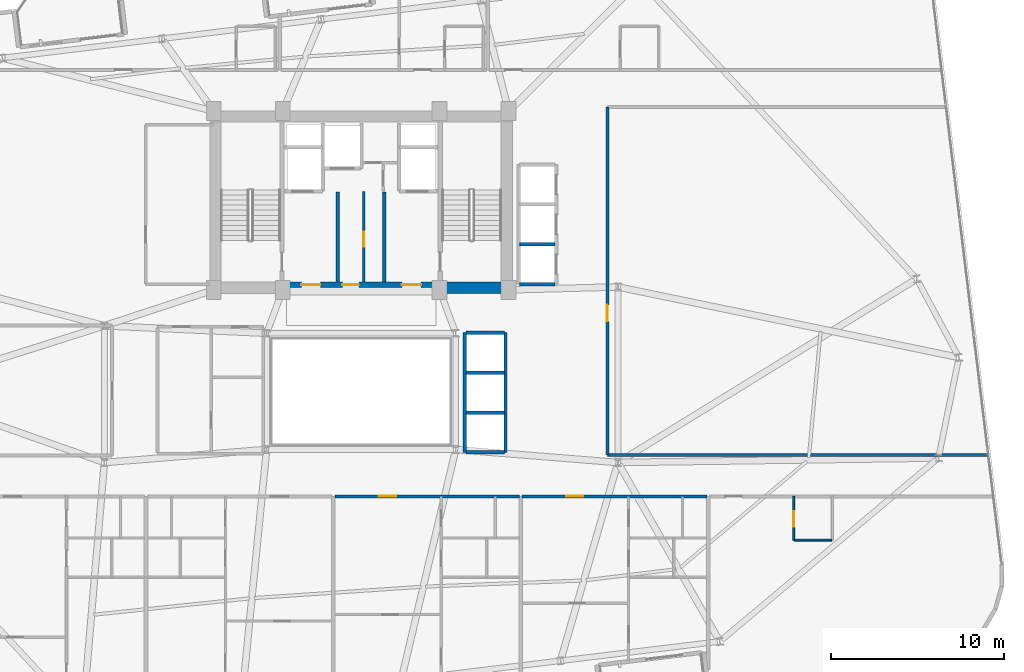
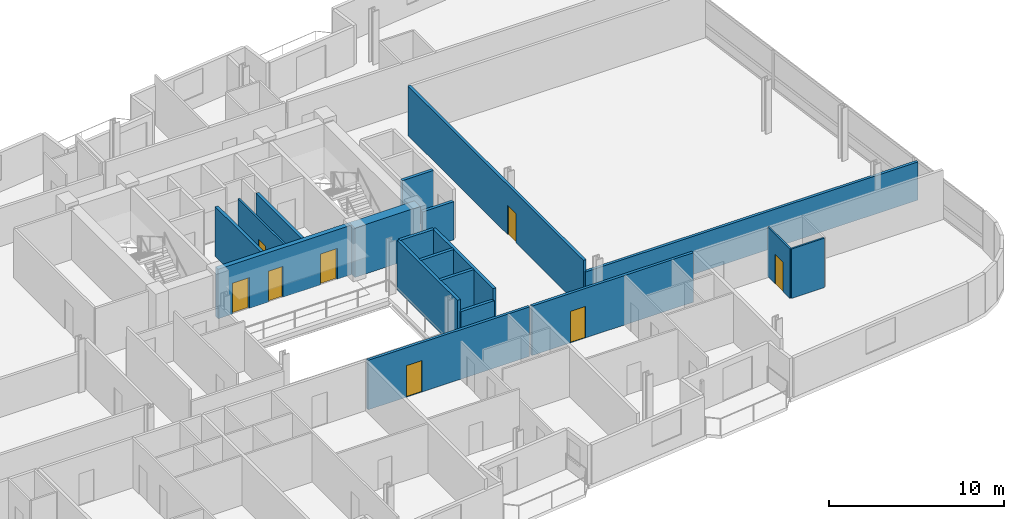
# One storey, part 16 of 23: 19 walls, 8 doors, 8 openings.
"""IFC4 building model written with IfcOpenShell, lengths in metres."""

from ifc_helpers import new_model, si_unit, direction, frame, frame_2d, origin, place, context, subcontext, project, spatial, rectangle, extrude, material, layer, layer_set, type_object, element, fill, save


model = new_model("IFC4")

# Units and contexts
model_context = context("Model", 3, precision=1e-05, world=origin(), true_north=direction((0.0, 1.0)))
body_context = subcontext(model_context, "Body", "Model", "MODEL_VIEW")
ifc_project = project(units=[si_unit("LENGTHUNIT", "METRE"), si_unit("AREAUNIT", "SQUARE_METRE"), si_unit("VOLUMEUNIT", "CUBIC_METRE"), si_unit("PLANEANGLEUNIT", "RADIAN"), si_unit("MASSUNIT", "GRAM", prefix="KILO")], contexts=[model_context])

# Site, building, storey
site_placement = place(None, origin())
site = spatial("IfcSite", under=ifc_project, at=site_placement, CompositionType="ELEMENT")
building_placement = place(site_placement, origin())
building = spatial("IfcBuilding", under=site, at=building_placement, Name="Varnelok Gate Tower", CompositionType="ELEMENT")
storey_placement = place(building_placement, frame((0.0, 0.0, 170.89990234375)))
storey = spatial("IfcBuildingStorey", under=building, at=storey_placement, Name="L43", CompositionType="ELEMENT", Elevation=170.89990234375)

# Wall, opening, door
ifc_material_1 = material(Name="Gypsum Plasterboard Acoustic Partition", Category="gypsum")
ifc_layer_1 = layer(ifc_material_1, 0.179931640625)
ifc_layer_set_1 = layer_set([ifc_layer_1], Name="Gypsum Plasterboard Acoustic Partition")
wall_type_1 = type_object("IfcWallType", Name="PW-CORR-180", PredefinedType="PARTITIONING", material=ifc_layer_set_1)
wall_1_placement = place(storey_placement, frame((37.679931640625, 16.85009765625, 0.0), z_axis=(0.0, 0.0, 1.0), x_axis=(1.0, 0.0, 0.0)))
wall_1 = element("IfcWall", 1, at=wall_1_placement, inside=storey, type_object=wall_type_1, Name="Interior Partition", PredefinedType="PARTITIONING", context=body_context, shape_type="SweptSolid", body=[
    extrude(rectangle(XDim=10.64013671875, YDim=0.179931640625, at=frame_2d((5.320068359375, 0.0))), origin(), (0.0, 0.0, 1.0), 3.4501953125),
])
opening_1_placement = place(wall_1_placement, frame((2.53466796875, 0.0, 0.0)))
opening_1 = element("IfcOpeningElement", 2, at=opening_1_placement, cuts=wall_1, Name="Opening D-AP", PredefinedType="OPENING", context=body_context, shape_type="SweptSolid", body=[
    extrude(rectangle(XDim=1.0, YDim=2.199951171875, at=frame_2d((0.5, 1.10009765625))), frame((0.0, 0.099853515625, 0.0), z_axis=(0.0, -1.0, 0.0), x_axis=(1.0, 0.0, 0.0)), (0.0, 0.0, 1.0), 0.199951171875),
])
ifc_material_2 = material(Name="Engineered Hardwood Timber", Category="wood")
door_type_1 = type_object("IfcDoorType", Name="DR-APT-1000", OperationType="NOTDEFINED", PredefinedType="DOOR", material=ifc_material_2)
door_1_placement = place(opening_1_placement, origin())
door_1 = element("IfcDoor", 3, at=door_1_placement, inside=storey, type_object=door_type_1, Name="L43 Apartment 4 Entrance Door", OperationType="SINGLE_SWING_LEFT", OverallHeight=2.199951171875, OverallWidth=1.0, PredefinedType="DOOR", context=body_context, shape_type="SweptSolid", body=[
    extrude(rectangle(XDim=1.0, YDim=2.199951171875, at=frame_2d((0.5, 1.10009765625))), frame((0.0, 0.02490234375, 0.0), z_axis=(0.0, -1.0, 0.0), x_axis=(1.0, 0.0, 0.0)), (0.0, 0.0, 1.0), 0.050048828125),
])
fill(opening_1, door_1)

wall_2_placement = place(storey_placement, frame((48.47998046875, 16.85009765625, 0.0), z_axis=(0.0, 0.0, 1.0), x_axis=(1.0, 0.0, 0.0)))
wall_2 = element("IfcWall", 4, at=wall_2_placement, inside=storey, type_object=wall_type_1, Name="Interior Partition", PredefinedType="PARTITIONING", context=body_context, shape_type="SweptSolid", body=[
    extrude(rectangle(XDim=10.64013671875, YDim=0.179931640625, at=frame_2d((5.320068359375, 0.0))), origin(), (0.0, 0.0, 1.0), 3.4501953125),
])
opening_2_placement = place(wall_2_placement, frame((2.53466796875, 0.0, 0.0)))
opening_2 = element("IfcOpeningElement", 5, at=opening_2_placement, cuts=wall_2, Name="Opening D-AP", PredefinedType="OPENING", context=body_context, shape_type="SweptSolid", body=[
    extrude(rectangle(XDim=1.0, YDim=2.199951171875, at=frame_2d((0.5, 1.10009765625))), frame((0.0, 0.099853515625, 0.0), z_axis=(0.0, -1.0, 0.0), x_axis=(1.0, 0.0, 0.0)), (0.0, 0.0, 1.0), 0.199951171875),
])
door_2_placement = place(opening_2_placement, origin())
door_2 = element("IfcDoor", 6, at=door_2_placement, inside=storey, type_object=door_type_1, Name="L43 Apartment 5 Entrance Door", OperationType="SINGLE_SWING_RIGHT", OverallHeight=2.199951171875, OverallWidth=1.0, PredefinedType="DOOR", context=body_context, shape_type="SweptSolid", body=[
    extrude(rectangle(XDim=1.0, YDim=2.199951171875, at=frame_2d((0.5, 1.10009765625))), frame((0.0, 0.02490234375, 0.0), z_axis=(0.0, -1.0, 0.0), x_axis=(1.0, 0.0, 0.0)), (0.0, 0.0, 1.0), 0.050048828125),
])
fill(opening_2, door_2)

wall_3_placement = place(storey_placement, frame((53.389892578125, 19.239990234375, 0.0), z_axis=(0.0, 0.0, 1.0), x_axis=(0.0, 1.0, 0.0)))
wall_3 = element("IfcWall", 7, at=wall_3_placement, inside=storey, type_object=wall_type_1, Name="Interior Partition", PredefinedType="PARTITIONING", context=body_context, shape_type="SweptSolid", body=[
    extrude(rectangle(XDim=20.06005859375, YDim=0.179931640625, at=frame_2d((10.030029296875, 0.0))), origin(), (0.0, 0.0, 1.0), 3.4501953125),
])
opening_3_placement = place(wall_3_placement, frame((7.699951171875, 0.0, 0.0)))
opening_3 = element("IfcOpeningElement", 8, at=opening_3_placement, cuts=wall_3, Name="Opening D-I2", PredefinedType="OPENING", context=body_context, shape_type="SweptSolid", body=[
    extrude(rectangle(XDim=0.949951171875, YDim=2.050048828125, at=frame_2d((0.47509765625, 1.02490234375))), frame((0.0, 0.099853515625, 0.0), z_axis=(0.0, -1.0, 0.0), x_axis=(1.0, 0.0, 0.0)), (0.0, 0.0, 1.0), 0.199951171875),
])
door_type_2 = type_object("IfcDoorType", Name="DR-INT-950", OperationType="NOTDEFINED", PredefinedType="DOOR", material=ifc_material_2)
door_3_placement = place(opening_3_placement, origin())
door_3 = element("IfcDoor", 9, at=door_3_placement, inside=storey, type_object=door_type_2, Name="L43 East Club Door", OperationType="SINGLE_SWING_RIGHT", OverallHeight=2.050048828125, OverallWidth=0.949951171875, PredefinedType="DOOR", context=body_context, shape_type="SweptSolid", body=[
    extrude(rectangle(XDim=0.949951171875, YDim=2.050048828125, at=frame_2d((0.47509765625, 1.02490234375))), frame((0.0, 0.02490234375, 0.0), z_axis=(0.0, -1.0, 0.0), x_axis=(1.0, 0.0, 0.0)), (0.0, 0.0, 1.0), 0.050048828125),
])
fill(opening_3, door_3)

# Walls
wall_4_placement = place(storey_placement, frame((53.389892578125, 19.239990234375, 0.0), z_axis=(0.0, 0.0, 1.0), x_axis=(1.0, 0.0, 0.0)))
element("IfcWall", 10, at=wall_4_placement, inside=storey, type_object=wall_type_1, Name="Interior Partition", PredefinedType="PARTITIONING", context=body_context, shape_type="SweptSolid", body=[
    extrude(rectangle(XDim=21.922119140625, YDim=0.179931640625, at=frame_2d((10.9609375, 0.0))), origin(), (0.0, 0.0, 1.0), 2.662109375),
])
ifc_layer_2 = layer(ifc_material_1, 0.114990234375)
ifc_layer_set_2 = layer_set([ifc_layer_2], Name="Gypsum Plasterboard Acoustic Partition")
wall_type_2 = type_object("IfcWallType", Name="PW-ENS-125", PredefinedType="PARTITIONING", material=ifc_layer_set_2)
wall_5_placement = place(storey_placement, frame((64.169921875, 14.330078125, 0.0), z_axis=(0.0, 0.0, 1.0), x_axis=(1.0, 0.0, 0.0)))
element("IfcWall", 11, at=wall_5_placement, inside=storey, type_object=wall_type_2, Name="Interior Partition", PredefinedType="PARTITIONING", context=body_context, shape_type="SweptSolid", body=[
    extrude(rectangle(XDim=2.150146484375, YDim=0.114990234375, at=frame_2d((1.0751953125, 0.0))), origin(), (0.0, 0.0, 1.0), 3.4501953125),
])

# Wall, opening, door
wall_6_placement = place(storey_placement, frame((64.1298828125, 14.330078125, 0.0), z_axis=(0.0, 0.0, 1.0), x_axis=(0.0, 1.0, 0.0)))
wall_6 = element("IfcWall", 12, at=wall_6_placement, inside=storey, type_object=wall_type_2, Name="Interior Partition", PredefinedType="PARTITIONING", context=body_context, shape_type="SweptSolid", body=[
    extrude(rectangle(XDim=2.52001953125, YDim=0.114990234375, at=frame_2d((1.260009765625, 0.0))), origin(), (0.0, 0.0, 1.0), 3.4501953125),
])
opening_4_placement = place(wall_6_placement, frame((0.760009765625, 0.0, 0.0)))
opening_4 = element("IfcOpeningElement", 13, at=opening_4_placement, cuts=wall_6, Name="Opening D-WC", PredefinedType="OPENING", context=body_context, shape_type="SweptSolid", body=[
    extrude(rectangle(XDim=0.89990234375, YDim=2.050048828125, at=frame_2d((0.449951171875, 1.02490234375))), frame((0.0, 0.0673828125, 0.0), z_axis=(0.0, -1.0, 0.0), x_axis=(1.0, 0.0, 0.0)), (0.0, 0.0, 1.0), 0.135009765625),
])
door_type_3 = type_object("IfcDoorType", Name="DR-BATH-900", OperationType="NOTDEFINED", PredefinedType="DOOR", material=ifc_material_2)
door_4_placement = place(opening_4_placement, origin())
door_4 = element("IfcDoor", 14, at=door_4_placement, inside=storey, type_object=door_type_3, Name="L43 Guest En-Suite 06 Door", OperationType="SINGLE_SWING_RIGHT", OverallHeight=2.050048828125, OverallWidth=0.89990234375, PredefinedType="DOOR", context=body_context, shape_type="SweptSolid", body=[
    extrude(rectangle(XDim=0.89990234375, YDim=2.050048828125, at=frame_2d((0.449951171875, 1.02490234375))), frame((0.0, 0.02490234375, 0.0), z_axis=(0.0, -1.0, 0.0), x_axis=(1.0, 0.0, 0.0)), (0.0, 0.0, 1.0), 0.050048828125),
])
fill(opening_4, door_4)

ifc_layer_3 = layer(ifc_material_1, 0.125)
ifc_layer_set_3 = layer_set([ifc_layer_3], Name="Gypsum Plasterboard Acoustic Partition")
wall_type_3 = type_object("IfcWallType", Name="PW-PART-125", PredefinedType="PARTITIONING", material=ifc_layer_set_3)
wall_7_placement = place(storey_placement, frame((39.35009765625, 29.199951171875, 0.0), z_axis=(0.0, 0.0, 1.0), x_axis=(0.0, 1.0, 0.0)))
wall_7 = element("IfcWall", 15, at=wall_7_placement, inside=storey, type_object=wall_type_3, Name="Interior Partition", PredefinedType="PARTITIONING", context=body_context, shape_type="SweptSolid", body=[
    extrude(rectangle(XDim=5.219970703125, YDim=0.125, at=frame_2d((2.60986328125, 0.0))), origin(), (0.0, 0.0, 1.0), 3.4501953125),
])
opening_5_placement = place(wall_7_placement, frame((2.050048828125, 0.0, 0.0)))
opening_5 = element("IfcOpeningElement", 16, at=opening_5_placement, cuts=wall_7, Name="Opening D-RS", PredefinedType="OPENING", context=body_context, shape_type="SweptSolid", body=[
    extrude(rectangle(XDim=0.85009765625, YDim=2.050048828125, at=frame_2d((0.425048828125, 1.02490234375))), frame((0.0, 0.072509765625, 0.0), z_axis=(0.0, -1.0, 0.0), x_axis=(1.0, 0.0, 0.0)), (0.0, 0.0, 1.0), 0.14501953125),
])
ifc_material_3 = material(Name="Galvanized Steel Grade S350GD", Category="steel")
door_type_4 = type_object("IfcDoorType", Name="DR-RISER-850", OperationType="NOTDEFINED", PredefinedType="DOOR", material=ifc_material_3)
door_5_placement = place(opening_5_placement, origin())
door_5 = element("IfcDoor", 17, at=door_5_placement, inside=storey, type_object=door_type_4, Name="L43 Housekeeping Linen Door", OperationType="SINGLE_SWING_RIGHT", OverallHeight=2.050048828125, OverallWidth=0.85009765625, PredefinedType="DOOR", context=body_context, shape_type="SweptSolid", body=[
    extrude(rectangle(XDim=0.85009765625, YDim=2.050048828125, at=frame_2d((0.425048828125, 1.02490234375))), frame((0.0, 0.02490234375, 0.0), z_axis=(0.0, -1.0, 0.0), x_axis=(1.0, 0.0, 0.0)), (0.0, 0.0, 1.0), 0.050048828125),
])
fill(opening_5, door_5)

# Walls
ifc_material_4 = material(Name="Concrete C35/45", Category="concrete")
ifc_layer_4 = layer(ifc_material_4, 0.199951171875)
ifc_layer_set_4 = layer_set([ifc_layer_4], Name="Concrete C35/45")
wall_type_4 = type_object("IfcWallType", Name="PW-SHAFT-200", PredefinedType="PARTITIONING", material=ifc_layer_set_4)
for number, where, z_axis, x_axis, name in (
    (18, (37.860107421875, 29.199951171875, 0.0), (0.0, 0.0, 1.0), (0.0, 1.0, 0.0), "L43 West FF Lobby Rated Wall"),
    (19, (40.5400390625, 29.199951171875, 0.0), (0.0, 0.0, 1.0), (0.0, 1.0, 0.0), "L43 East FF Lobby Rated Wall"),
):
    element("IfcWall", number, at=place(storey_placement, frame(where, z_axis=z_axis, x_axis=x_axis)), inside=storey, type_object=wall_type_4, Name=name, PredefinedType="PARTITIONING", context=body_context, shape_type="SweptSolid", body=[
        extrude(rectangle(XDim=5.179931640625, YDim=0.199951171875, at=frame_2d((2.58984375, 0.0))), origin(), (0.0, 0.0, 1.0), 3.4501953125),
    ])
wall_8_placement = place(storey_placement, frame((48.320068359375, 31.375, 0.0), z_axis=(0.0, 0.0, 1.0), x_axis=(1.0, 0.0, 0.0)))
element("IfcWall", 20, at=wall_8_placement, inside=storey, type_object=wall_type_4, Name="L43 PM1 Divider", PredefinedType="PARTITIONING", context=body_context, shape_type="SweptSolid", body=[
    extrude(rectangle(XDim=2.059814453125, YDim=0.199951171875, at=frame_2d((1.02978515625, 0.0))), origin(), (0.0, 0.0, 1.0), 3.4501953125),
])
wall_9_placement = place(storey_placement, frame((48.320068359375, 29.080078125, 0.0), z_axis=(0.0, 0.0, 1.0), x_axis=(1.0, 0.0, 0.0)))
element("IfcWall", 21, at=wall_9_placement, inside=storey, type_object=wall_type_4, Name="L43 PM Bank South Wall", PredefinedType="PARTITIONING", context=body_context, shape_type="SweptSolid", body=[
    extrude(rectangle(XDim=2.059814453125, YDim=0.199951171875, at=frame_2d((1.02978515625, 0.0))), origin(), (0.0, 0.0, 1.0), 2.662109375),
])
for number, where, z_axis, x_axis, name in (
    (22, (45.239990234375, 21.675048828125, 0.0), (0.0, 0.0, 1.0), (1.0, 0.0, 0.0), "L43 PH1 Divider"),
    (23, (45.239990234375, 23.97509765625, 0.0), (0.0, 0.0, 1.0), (1.0, 0.0, 0.0), "L43 PH2 Divider"),
):
    element("IfcWall", number, at=place(storey_placement, frame(where, z_axis=z_axis, x_axis=x_axis)), inside=storey, type_object=wall_type_4, Name=name, PredefinedType="PARTITIONING", context=body_context, shape_type="SweptSolid", body=[
        extrude(rectangle(XDim=2.219970703125, YDim=0.199951171875, at=frame_2d((1.10986328125, 0.0))), origin(), (0.0, 0.0, 1.0), 3.4501953125),
    ])
wall_10_placement = place(storey_placement, frame((45.239990234375, 19.3798828125, 0.0), z_axis=(0.0, 0.0, 1.0), x_axis=(1.0, 0.0, 0.0)))
element("IfcWall", 24, at=wall_10_placement, inside=storey, type_object=wall_type_4, Name="L43 PH Bank South Wall", PredefinedType="PARTITIONING", context=body_context, shape_type="SweptSolid", body=[
    extrude(rectangle(XDim=2.219970703125, YDim=0.199951171875, at=frame_2d((1.10986328125, 0.0))), origin(), (0.0, 0.0, 1.0), 2.662109375),
])
wall_11_placement = place(storey_placement, frame((45.239990234375, 26.280029296875, 0.0), z_axis=(0.0, 0.0, 1.0), x_axis=(1.0, 0.0, 0.0)))
element("IfcWall", 25, at=wall_11_placement, inside=storey, type_object=wall_type_4, Name="L43 PH Bank North Wall", PredefinedType="PARTITIONING", context=body_context, shape_type="SweptSolid", body=[
    extrude(rectangle(XDim=2.219970703125, YDim=0.199951171875, at=frame_2d((1.10986328125, 0.0))), origin(), (0.0, 0.0, 1.0), 3.4501953125),
])
for number, where, z_axis, x_axis, name in (
    (26, (45.179931640625, 19.3798828125, 0.0), (0.0, 0.0, 1.0), (0.0, 1.0, 0.0), "L43 PH Bank Atrium Wall"),
    (27, (47.52001953125, 19.3798828125, 0.0), (0.0, 0.0, 1.0), (0.0, 1.0, 0.0), "L43 PH Bank Front Wall"),
):
    element("IfcWall", number, at=place(storey_placement, frame(where, z_axis=z_axis, x_axis=x_axis)), inside=storey, type_object=wall_type_4, Name=name, PredefinedType="PARTITIONING", context=body_context, shape_type="SweptSolid", body=[
        extrude(rectangle(XDim=6.900146484375, YDim=0.199951171875, at=frame_2d((3.4501953125, 0.0))), origin(), (0.0, 0.0, 1.0), 3.4501953125),
    ])
ifc_material_5 = material(Name="Concrete C60/75", Category="concrete")
ifc_layer_5 = layer(ifc_material_5, 0.64990234375)
ifc_layer_set_5 = layer_set([ifc_layer_5], Name="Concrete C60/75")
wall_type_5 = type_object("IfcWallType", Name="SW-CORE-650", PredefinedType="SHEAR", material=ifc_layer_set_5)
wall_12_placement = place(storey_placement, frame((43.60009765625, 28.875, 0.0), z_axis=(0.0, 0.0, 1.0), x_axis=(1.0, 0.0, 0.0)))
element("IfcWall", 28, at=wall_12_placement, inside=storey, type_object=wall_type_5, Name="L43 Rear Core South-East Shear Wall", PredefinedType="SHEAR", context=body_context, shape_type="SweptSolid", body=[
    extrude(rectangle(XDim=4.31982421875, YDim=0.64990234375, at=frame_2d((2.159912109375, 0.0))), origin(), (0.0, 0.0, 1.0), 3.4501953125),
])

# Wall, openings, doors
ifc_layer_6 = layer(ifc_material_5, 0.300048828125)
ifc_layer_set_6 = layer_set([ifc_layer_6], Name="Concrete C60/75")
wall_type_6 = type_object("IfcWallType", Name="SW-SHAFT-300", PredefinedType="SHEAR", material=ifc_layer_set_6)
wall_13_placement = place(storey_placement, frame((34.800048828125, 29.050048828125, 0.0), z_axis=(0.0, 0.0, 1.0), x_axis=(1.0, 0.0, 0.0)))
wall_13 = element("IfcWall", 29, at=wall_13_placement, inside=storey, type_object=wall_type_6, Name="L43 Rear Core Central Lobby Shear Wall", PredefinedType="SHEAR", context=body_context, shape_type="SweptSolid", body=[
    extrude(rectangle(XDim=8.800048828125, YDim=0.300048828125, at=frame_2d((4.39990234375, 0.0))), origin(), (0.0, 0.0, 1.0), 3.4501953125),
])
opening_6_placement = place(wall_13_placement, frame((0.949951171875, 0.0, 0.0)))
opening_6 = element("IfcOpeningElement", 30, at=opening_6_placement, cuts=wall_13, Name="Opening D-FF", PredefinedType="OPENING", context=body_context, shape_type="SweptSolid", body=[
    extrude(rectangle(XDim=1.10009765625, YDim=2.14990234375, at=frame_2d((0.550048828125, 1.074951171875))), frame((0.0, 0.159912109375, 0.0), z_axis=(0.0, -1.0, 0.0), x_axis=(1.0, 0.0, 0.0)), (0.0, 0.0, 1.0), 0.320068359375),
])
opening_7_placement = place(wall_13_placement, frame((6.75, 0.0, 0.0)))
opening_7 = element("IfcOpeningElement", 31, at=opening_7_placement, cuts=wall_13, Name="Opening D-FF", PredefinedType="OPENING", context=body_context, shape_type="SweptSolid", body=[
    extrude(rectangle(XDim=1.10009765625, YDim=2.14990234375, at=frame_2d((0.550048828125, 1.074951171875))), frame((0.0, 0.159912109375, 0.0), z_axis=(0.0, -1.0, 0.0), x_axis=(1.0, 0.0, 0.0)), (0.0, 0.0, 1.0), 0.320068359375),
])
opening_8_placement = place(wall_13_placement, frame((3.320068359375, 0.0, 0.0)))
opening_8 = element("IfcOpeningElement", 32, at=opening_8_placement, cuts=wall_13, Name="Opening D-CR", PredefinedType="OPENING", context=body_context, shape_type="SweptSolid", body=[
    extrude(rectangle(XDim=0.949951171875, YDim=2.14990234375, at=frame_2d((0.47509765625, 1.074951171875))), frame((0.0, 0.159912109375, 0.0), z_axis=(0.0, -1.0, 0.0), x_axis=(1.0, 0.0, 0.0)), (0.0, 0.0, 1.0), 0.320068359375),
])
door_type_5 = type_object("IfcDoorType", Name="DR-CORR-950", OperationType="NOTDEFINED", PredefinedType="DOOR", material=ifc_material_3)
door_6_placement = place(opening_8_placement, origin())
door_6 = element("IfcDoor", 33, at=door_6_placement, inside=storey, type_object=door_type_5, Name="L43 Core Service Passage Door", OperationType="SINGLE_SWING_LEFT", OverallHeight=2.14990234375, OverallWidth=0.949951171875, PredefinedType="DOOR", context=body_context, shape_type="SweptSolid", body=[
    extrude(rectangle(XDim=0.949951171875, YDim=2.14990234375, at=frame_2d((0.47509765625, 1.074951171875))), frame((0.0, 0.02490234375, 0.0), z_axis=(0.0, -1.0, 0.0), x_axis=(1.0, 0.0, 0.0)), (0.0, 0.0, 1.0), 0.050048828125),
])
fill(opening_8, door_6)
door_type_6 = type_object("IfcDoorType", Name="DR-FFLOB-1100", OperationType="NOTDEFINED", PredefinedType="DOOR", material=ifc_material_3)
door_7_placement = place(opening_6_placement, origin())
door_7 = element("IfcDoor", 34, at=door_7_placement, inside=storey, type_object=door_type_6, Name="L43 West Firefighting Lobby Fire Door", OperationType="SINGLE_SWING_RIGHT", OverallHeight=2.14990234375, OverallWidth=1.10009765625, PredefinedType="DOOR", context=body_context, shape_type="SweptSolid", body=[
    extrude(rectangle(XDim=1.10009765625, YDim=2.14990234375, at=frame_2d((0.550048828125, 1.074951171875))), frame((0.0, 0.02490234375, 0.0), z_axis=(0.0, -1.0, 0.0), x_axis=(1.0, 0.0, 0.0)), (0.0, 0.0, 1.0), 0.050048828125),
])
fill(opening_6, door_7)
door_8_placement = place(opening_7_placement, origin())
door_8 = element("IfcDoor", 35, at=door_8_placement, inside=storey, type_object=door_type_6, Name="L43 East Firefighting Lobby Fire Door", OperationType="SINGLE_SWING_LEFT", OverallHeight=2.14990234375, OverallWidth=1.10009765625, PredefinedType="DOOR", context=body_context, shape_type="SweptSolid", body=[
    extrude(rectangle(XDim=1.10009765625, YDim=2.14990234375, at=frame_2d((0.550048828125, 1.074951171875))), frame((0.0, 0.02490234375, 0.0), z_axis=(0.0, -1.0, 0.0), x_axis=(1.0, 0.0, 0.0)), (0.0, 0.0, 1.0), 0.050048828125),
])
fill(opening_7, door_8)

save(model, "model.ifc")
